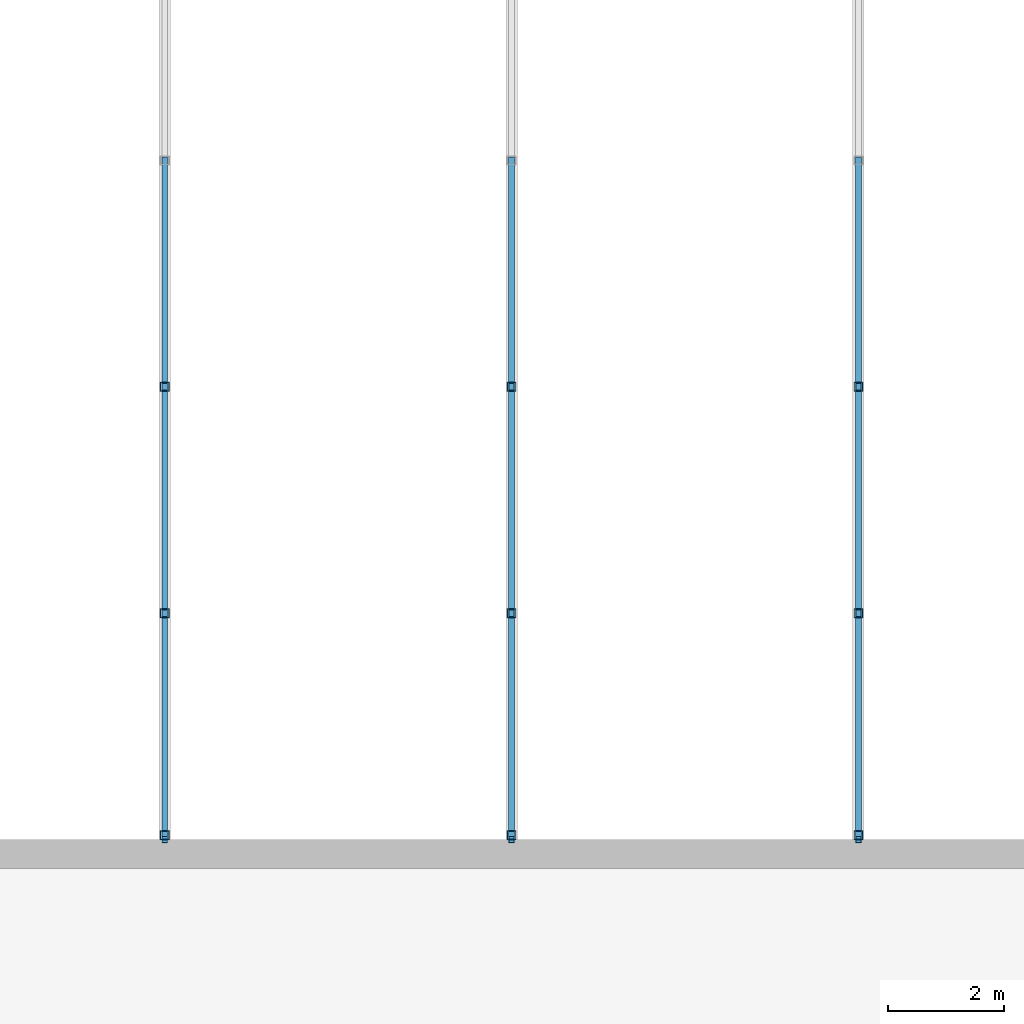
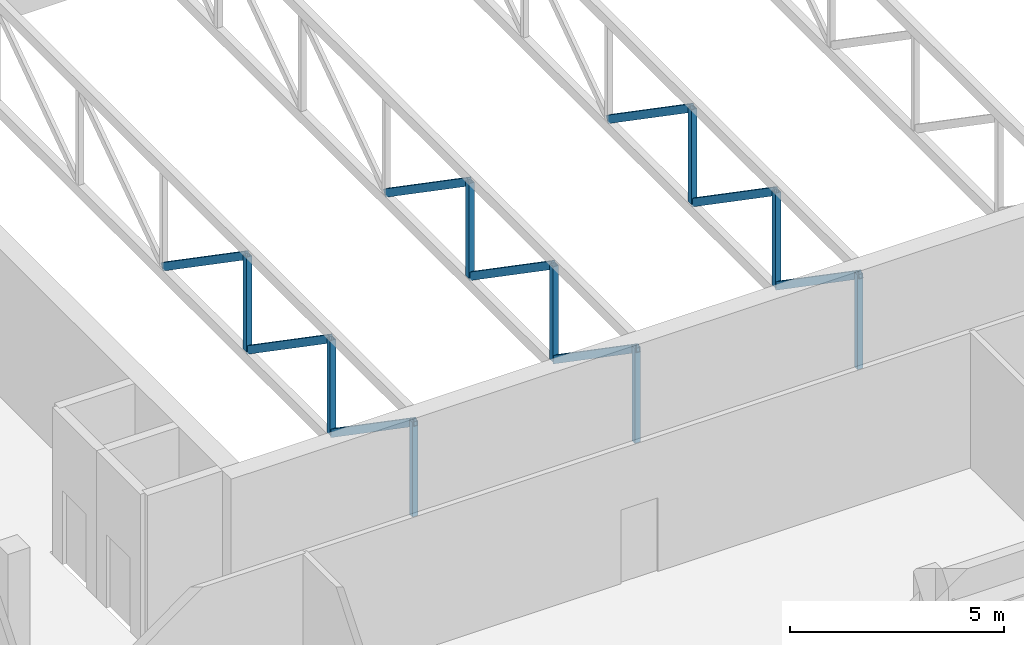
# One storey, part 7 of 47: 18 members.
"""IFC4 building model written with IfcOpenShell, lengths in metres."""

from ifc_helpers import new_model, si_unit, direction, frame, origin, origin_2d, place, context, subcontext, project, spatial, hollow_rectangle, extrude, material, material_profile, profile_set, type_object, element, save


model = new_model("IFC4")

# Units and contexts
model_context = context("Model", 3, precision=1e-05, world=origin(), true_north=direction((0.0, 1.0)))
body_context = subcontext(model_context, "Body", "Model", "MODEL_VIEW")
ifc_project = project(units=[si_unit("LENGTHUNIT", "METRE"), si_unit("AREAUNIT", "SQUARE_METRE"), si_unit("VOLUMEUNIT", "CUBIC_METRE"), si_unit("PLANEANGLEUNIT", "RADIAN"), si_unit("MASSUNIT", "GRAM", prefix="KILO")], contexts=[model_context])

# Site, building, storey
site_placement = place(None, origin())
site = spatial("IfcSite", under=ifc_project, at=site_placement, CompositionType="ELEMENT")
building_placement = place(site_placement, origin())
building = spatial("IfcBuilding", under=site, at=building_placement, Name="Nakaniwa Court", CompositionType="ELEMENT")
storey_placement = place(building_placement, frame((0.0, 0.0, 15.60009765625)))
storey = spatial("IfcBuildingStorey", under=building, at=storey_placement, Name="L03", CompositionType="ELEMENT", Elevation=15.60009765625)

# Members
ifc_material = material(Name="Steel AS/NZS 1163 Grade C350L0", Category="steel")
ifc_material_profile_1 = material_profile(ifc_material, hollow_rectangle(XDim=0.10009765625, YDim=0.199951171875, WallThickness=0.006103515625, at=origin_2d()), Name="RHS 200x100x6")
ifc_profile_set_1 = profile_set([ifc_material_profile_1], Name="Steel AS/NZS 1163 Grade C350L0")
member_type_1 = type_object("IfcMemberType", Name="Roof truss diagonal RHS 200x100x6", PredefinedType="BRACE", material=ifc_profile_set_1)
for number, where, z_axis, x_axis, name in (
    (1, (175.0, 68.25, 3.699951171875), (0.0, 0.823336002071, -0.567554250882), (-1.0, 0.0, 0.0), "Roof truss A1 diagonal 1"),
    (2, (175.0, 72.166748046875, 3.699951171875), (0.0, 0.82331946975, -0.567578233136), (-1.0, 0.0, 0.0), "Roof truss A1 diagonal 2"),
    (3, (175.0, 76.083251953125, 3.699951171875), (0.0, 0.823336002071, -0.567554250882), (-1.0, 0.0, 0.0), "Roof truss A1 diagonal 3"),
    (4, (181.0, 68.25, 3.699951171875), (0.0, 0.823336002071, -0.567554250882), (-1.0, 0.0, 0.0), "Roof truss A2 diagonal 1"),
    (5, (181.0, 72.166748046875, 3.699951171875), (0.0, 0.82331946975, -0.567578233136), (-1.0, 0.0, 0.0), "Roof truss A2 diagonal 2"),
    (6, (181.0, 76.083251953125, 3.699951171875), (0.0, 0.823336002071, -0.567554250882), (-1.0, 0.0, 0.0), "Roof truss A2 diagonal 3"),
    (7, (187.0, 68.25, 3.699951171875), (0.0, 0.823336002071, -0.567554250882), (-1.0, 0.0, 0.0), "Roof truss A3 diagonal 1"),
    (8, (187.0, 72.166748046875, 3.699951171875), (0.0, 0.82331946975, -0.567578233136), (-1.0, 0.0, 0.0), "Roof truss A3 diagonal 2"),
    (9, (187.0, 76.083251953125, 3.699951171875), (0.0, 0.823336002071, -0.567554250882), (-1.0, 0.0, 0.0), "Roof truss A3 diagonal 3"),
):
    element("IfcMember", number, at=place(storey_placement, frame(where, z_axis=z_axis, x_axis=x_axis)), inside=storey, type_object=member_type_1, Name=name, PredefinedType="BRACE", context=body_context, shape_type="SweptSolid", body=[
        extrude(hollow_rectangle(XDim=0.10009765625, YDim=0.199951171875, WallThickness=0.006103515625, at=origin_2d()), origin(), (0.0, 0.0, 1.0), 4.757080078125),
    ])
ifc_material_profile_2 = material_profile(ifc_material, hollow_rectangle(XDim=0.14990234375, YDim=0.14990234375, WallThickness=0.006103515625, at=origin_2d()), Name="SHS 150x150x6")
ifc_profile_set_2 = profile_set([ifc_material_profile_2], Name="Steel AS/NZS 1163 Grade C350L0")
member_type_2 = type_object("IfcMemberType", Name="Roof truss post SHS 150x150x6", PredefinedType="STRUT", material=ifc_profile_set_2)
for number, where, z_axis, x_axis, name in (
    (10, (175.0, 68.324951171875, 1.0), (0.0, 0.0, 1.0), (1.0, 0.0, 0.0), "Roof truss A1 post 1"),
    (11, (175.0, 72.166748046875, 1.0), (0.0, 0.0, 1.0), (1.0, 0.0, 0.0), "Roof truss A1 post 2"),
    (12, (175.0, 76.083251953125, 1.0), (0.0, 0.0, 1.0), (1.0, 0.0, 0.0), "Roof truss A1 post 3"),
    (13, (181.0, 68.324951171875, 1.0), (0.0, 0.0, 1.0), (1.0, 0.0, 0.0), "Roof truss A2 post 1"),
    (14, (181.0, 72.166748046875, 1.0), (0.0, 0.0, 1.0), (1.0, 0.0, 0.0), "Roof truss A2 post 2"),
    (15, (181.0, 76.083251953125, 1.0), (0.0, 0.0, 1.0), (1.0, 0.0, 0.0), "Roof truss A2 post 3"),
    (16, (187.0, 68.324951171875, 1.0), (0.0, 0.0, 1.0), (1.0, 0.0, 0.0), "Roof truss A3 post 1"),
    (17, (187.0, 72.166748046875, 1.0), (0.0, 0.0, 1.0), (1.0, 0.0, 0.0), "Roof truss A3 post 2"),
    (18, (187.0, 76.083251953125, 1.0), (0.0, 0.0, 1.0), (1.0, 0.0, 0.0), "Roof truss A3 post 3"),
):
    element("IfcMember", number, at=place(storey_placement, frame(where, z_axis=z_axis, x_axis=x_axis)), inside=storey, type_object=member_type_2, Name=name, PredefinedType="STRUT", context=body_context, shape_type="SweptSolid", body=[
        extrude(hollow_rectangle(XDim=0.14990234375, YDim=0.14990234375, WallThickness=0.006103515625, at=origin_2d()), origin(), (0.0, 0.0, 1.0), 2.699951171875),
    ])

save(model, "model.ifc")
